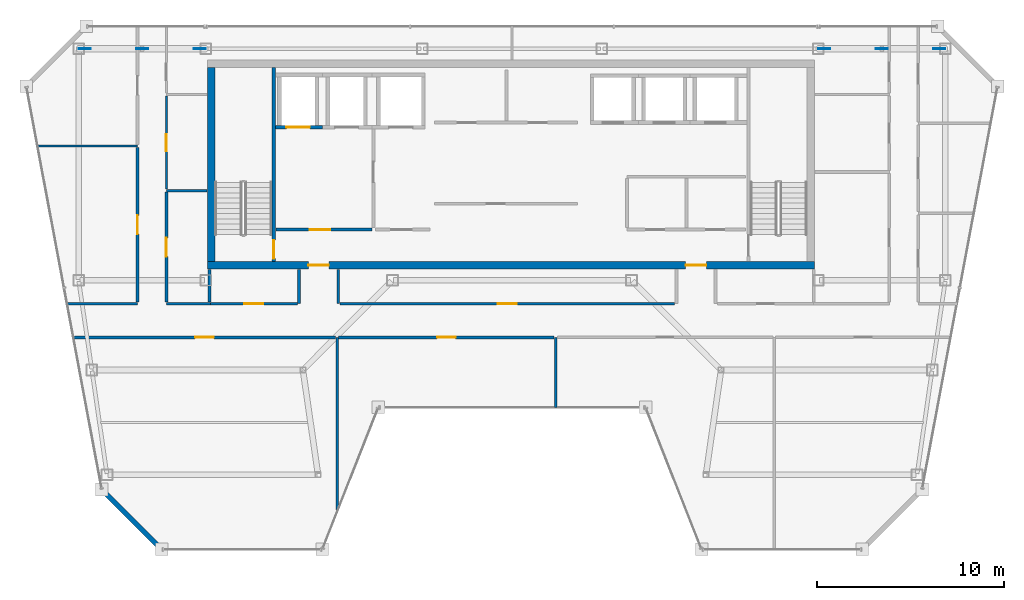
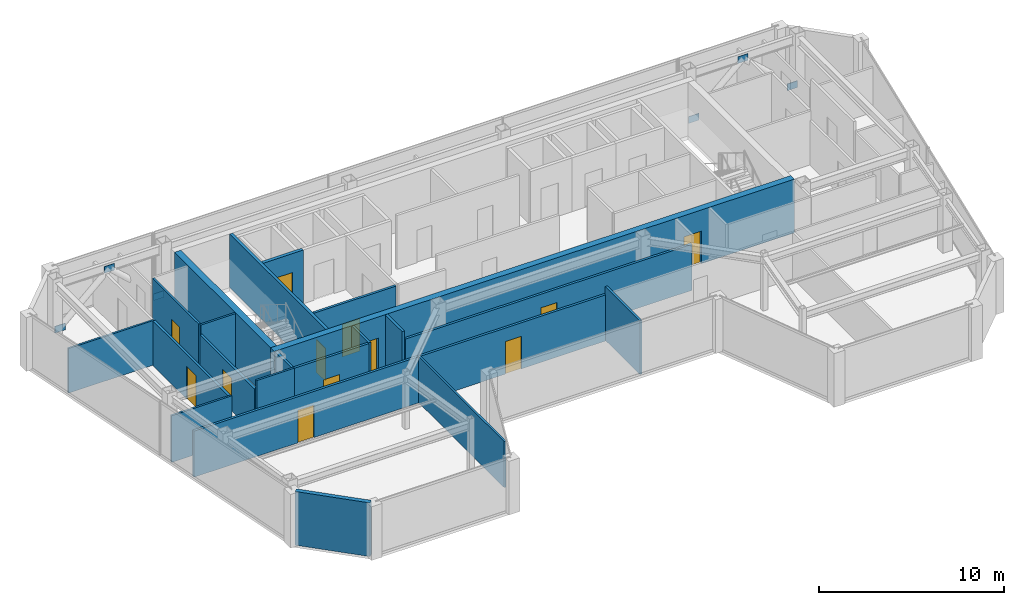
# One storey, part 18 of 22: 22 walls, 12 doors, 6 plates, 12 openings.
"""IFC4 building model written with IfcOpenShell, lengths in metres."""

import ifcopenshell
import ifcopenshell.guid

model = None  # the IFC model being written
_history = None  # IfcOwnerHistory: only IFC2X3 demands one
_inside = {}  # id of a spatial element -> (the spatial element, [elements in it])
_under = {}  # id of a project, library or spatial element -> (it, [spatial elements below it])
_declared = {}  # id of a project -> (the project, [libraries it declares])
_typed = {}  # id of a type object -> (the type object, [elements of that type])
_made_of = {}  # id of a material, layer set ... -> (it, [elements and type objects made of it])


def new_model(schema):
    """Start an empty IFC model of exactly this schema.

    Asked for "IFC4X3", IfcOpenShell would pick the latest addendum, in which some entities
    have other attributes; the version numbers below select the first issue.
    IFC2X3 requires an IfcOwnerHistory on every rooted entity: one is made here for all.
    """
    global model, _history
    if schema == "IFC4X3":
        model = ifcopenshell.file(schema_version=(4, 3, 0, 0))
    else:
        model = ifcopenshell.file(schema=schema)
    _inside.clear()
    _under.clear()
    _declared.clear()
    _typed.clear()
    _made_of.clear()
    _history = None
    if model.schema == "IFC2X3":
        org = make("IfcOrganization", Name="unknown")
        user = make(
            "IfcPersonAndOrganization",
            ThePerson=make("IfcPerson", FamilyName="unknown"),
            TheOrganization=org,
        )
        app = make(
            "IfcApplication",
            ApplicationDeveloper=org,
            Version="unknown",
            ApplicationFullName="unknown",
            ApplicationIdentifier="unknown",
        )
        _history = make(
            "IfcOwnerHistory",
            OwningUser=user,
            OwningApplication=app,
            ChangeAction="ADDED",
            CreationDate=0,
        )
    return model


def make(cls, **values):
    """One entity of the class cls with the attributes given. An attribute that is None is left unset."""
    return model.create_entity(
        cls, **{name: value for name, value in values.items() if value is not None}
    )


def rooted(cls, **values):
    """An entity with a GlobalId (a new one), such as an element, a storey or a relation."""
    return make(cls, GlobalId=ifcopenshell.guid.new(), OwnerHistory=_history, **values)


def si_unit(unit_type, name, prefix=None):
    """IfcSIUnit, for example si_unit("LENGTHUNIT", "METRE", prefix="MILLI")."""
    return make("IfcSIUnit", UnitType=unit_type, Prefix=prefix, Name=name)


def assignment(units):
    """IfcUnitAssignment: the units of a project."""
    return None if units is None else make("IfcUnitAssignment", Units=units)


def point(xyz):
    """IfcCartesianPoint."""
    return None if xyz is None else make("IfcCartesianPoint", Coordinates=xyz)


def direction(xyz):
    """IfcDirection."""
    return None if xyz is None else make("IfcDirection", DirectionRatios=xyz)


def frame(location, z_axis=None, x_axis=None):
    """IfcAxis2Placement3D, a coordinate frame: its origin and axes. An axis left out is left unset."""
    return make(
        "IfcAxis2Placement3D",
        Location=point(location),
        Axis=direction(z_axis),
        RefDirection=direction(x_axis),
    )


def frame_2d(location, x_axis=None):
    """IfcAxis2Placement2D, a coordinate frame in the plane: its origin and x axis."""
    return make(
        "IfcAxis2Placement2D", Location=point(location), RefDirection=direction(x_axis)
    )


def origin():
    """The frame at (0, 0, 0) with its axes left unset."""
    return frame((0.0, 0.0, 0.0))


def origin_2d():
    """The frame at (0, 0) in the plane with its x axis left unset."""
    return frame_2d((0.0, 0.0))


def place(relative_to, where):
    """IfcLocalPlacement: puts the frame where relative to a parent placement (None: the world)."""
    return make(
        "IfcLocalPlacement", PlacementRelTo=relative_to, RelativePlacement=where
    )


def context(
    kind, dimensions, precision=None, world=None, true_north=None, identifier=None
):
    """IfcGeometricRepresentationContext, for example the 3D "Model" context."""
    return make(
        "IfcGeometricRepresentationContext",
        ContextIdentifier=identifier,
        ContextType=kind,
        CoordinateSpaceDimension=dimensions,
        Precision=precision,
        WorldCoordinateSystem=world,
        TrueNorth=true_north,
    )


def subcontext(parent, identifier, kind, view, scale=None):
    """IfcGeometricRepresentationSubContext, for example "Body" below "Model"."""
    return make(
        "IfcGeometricRepresentationSubContext",
        ContextIdentifier=identifier,
        ContextType=kind,
        ParentContext=parent,
        TargetScale=scale,
        TargetView=view,
    )


def project(units=None, contexts=None):
    """IfcProject with its units and contexts."""
    return rooted(
        "IfcProject",
        Name="project",
        RepresentationContexts=contexts,
        UnitsInContext=assignment(units),
    )


def spatial(cls, under=None, at=None, **own):
    """A site, building, storey or space (cls), placed at a placement, below another one or the project."""
    s = rooted(cls, ObjectPlacement=at, **own)
    if under is not None:
        _under.setdefault(under.id(), (under, []))[1].append(s)
    return s


def profile(cls, at=None, kind="AREA", **sizes):
    """A parametric profile (cls). Its sizes go by their IFC names, for example OverallWidth=200.0."""
    return make(cls, ProfileType=kind, Position=at, **sizes)


def rectangle(**sizes):
    """IfcRectangleProfileDef."""
    return profile("IfcRectangleProfileDef", **sizes)


def extrude(swept, where, along, depth):
    """IfcExtrudedAreaSolid: the profile swept, set in the frame where, extruded along a direction by depth."""
    return make(
        "IfcExtrudedAreaSolid",
        SweptArea=swept,
        Position=where,
        ExtrudedDirection=direction(along),
        Depth=depth,
    )


def shape(context_of_items, identifier, shape_type, items):
    """IfcShapeRepresentation: the items that make up one representation, for example the "Body"."""
    return make(
        "IfcShapeRepresentation",
        ContextOfItems=context_of_items,
        RepresentationIdentifier=identifier,
        RepresentationType=shape_type,
        Items=items,
    )


def material(Name=None, Category=None):
    """IfcMaterial."""
    return make("IfcMaterial", Name=Name, Category=Category)


def layer(
    of_material, thickness, ventilated=None, Name=None, Category=None, Priority=None
):
    """IfcMaterialLayer: one layer of a wall or slab, of a material (None: an air gap)."""
    return make(
        "IfcMaterialLayer",
        Material=of_material,
        LayerThickness=thickness,
        IsVentilated=ventilated,
        Name=Name,
        Category=Category,
        Priority=Priority,
    )


def layer_set(layers, Name=None):
    """IfcMaterialLayerSet."""
    return make("IfcMaterialLayerSet", MaterialLayers=layers, LayerSetName=Name)


def made_of(thing, what):
    """Note that an element or type object is made of a material, layer set ...; save() writes the relation."""
    if what is not None:
        _made_of.setdefault(what.id(), (what, []))[1].append(thing)
    return thing


def type_object(cls, material=None, **own):
    """A type object (cls), such as IfcWallType, which elements share."""
    return made_of(rooted(cls, **own), material)


def element(
    cls,
    number,
    at=None,
    inside=None,
    cuts=None,
    type_object=None,
    material=None,
    context=None,
    identifier="Body",
    shape_type=None,
    held_by="IfcProductDefinitionShape",
    body=None,
    shapes=None,
    **own,
):
    """One element of the class cls, such as IfcWall. Its Tag is "e" and its number.

    at: its placement. inside: the storey or other place that contains it. cuts: it is an
    opening in that element (IfcRelVoidsElement). A single representation is given by context,
    identifier, shape_type and body (its items); several are given by shapes. held_by: the class
    of the entity that holds the representations. save() writes the other relations.
    """
    e = rooted(cls, Tag="e%d" % number, ObjectPlacement=at, **own)
    if body is not None:
        shapes = [shape(context, identifier, shape_type, body)]
    if shapes is not None:
        e.Representation = make(held_by, Representations=shapes)
    if inside is not None:
        _inside.setdefault(inside.id(), (inside, []))[1].append(e)
    if cuts is not None:
        rooted(
            "IfcRelVoidsElement", RelatingBuildingElement=cuts, RelatedOpeningElement=e
        )
    if type_object is not None:
        _typed.setdefault(type_object.id(), (type_object, []))[1].append(e)
    return made_of(e, material)


def fill(opening, filler):
    """IfcRelFillsElement: the door or window that sits in an opening."""
    return rooted(
        "IfcRelFillsElement",
        RelatingOpeningElement=opening,
        RelatedBuildingElement=filler,
    )


def aggregate(whole, parts):
    """IfcRelAggregates: a whole, such as a stair, and the parts it consists of."""
    return rooted("IfcRelAggregates", RelatingObject=whole, RelatedObjects=parts)


def save(model, path):
    """Write the relations noted so far, then the file.

    IfcRelAggregates (storeys below a building ...), IfcRelContainedInSpatialStructure (elements
    in a storey), IfcRelDefinesByType, IfcRelAssociatesMaterial and IfcRelDeclares: one each for
    every whole, place, type object, material and project.
    """
    for whole, parts in _under.values():
        aggregate(whole, parts)
    for where, things in _inside.values():
        rooted(
            "IfcRelContainedInSpatialStructure",
            RelatedElements=things,
            RelatingStructure=where,
        )
    for kind, things in _typed.values():
        rooted("IfcRelDefinesByType", RelatedObjects=things, RelatingType=kind)
    for what, things in _made_of.values():
        rooted("IfcRelAssociatesMaterial", RelatedObjects=things, RelatingMaterial=what)
    for by, libraries in _declared.values():
        rooted("IfcRelDeclares", RelatingContext=by, RelatedDefinitions=libraries)
    model.write(path)


model = new_model("IFC4")

# Units and contexts
model_context = context("Model", 3, precision=1e-05, world=origin(), true_north=direction((0.0, 1.0)))
body_context = subcontext(model_context, "Body", "Model", "MODEL_VIEW")
ifc_project = project(units=[si_unit("LENGTHUNIT", "METRE"), si_unit("AREAUNIT", "SQUARE_METRE"), si_unit("VOLUMEUNIT", "CUBIC_METRE"), si_unit("PLANEANGLEUNIT", "RADIAN"), si_unit("MASSUNIT", "GRAM", prefix="KILO")], contexts=[model_context])

# Site, building, storey
site_placement = place(None, origin())
site = spatial("IfcSite", under=ifc_project, at=site_placement, CompositionType="ELEMENT")
building_placement = place(site_placement, origin())
building = spatial("IfcBuilding", under=site, at=building_placement, Name="Saevonmaru Cultural Tower", CompositionType="ELEMENT")
storey_placement = place(building_placement, frame((0.0, 0.0, 287.60009765625)))
storey = spatial("IfcBuildingStorey", under=building, at=storey_placement, Name="L68", CompositionType="ELEMENT", Elevation=287.60009765625)

# Plates
ifc_material_1 = material(Name="Steel HSA600 (600 MPa)", Category="steel")
ifc_layer_1 = layer(ifc_material_1, 0.0400390625, Name="Steel HSA600 (600 MPa)")
ifc_layer_set_1 = layer_set([ifc_layer_1], Name="Steel HSA600 (600 MPa)")
plate_type = type_object("IfcPlateType", Name="PL-GUSSET-EXT", PredefinedType="USERDEFINED", material=ifc_layer_set_1)
for number, where, z_axis, x_axis, name in (
    (1, (10.199951171875, 54.800048828125, 2.89990234375), (0.0, 0.0, 1.0), (1.0, 0.0, 0.0), "L68 Perimeter Tube Gusset Plate"),
    (2, (7.1201171875, 54.800048828125, 0.02001953125), (0.0, 0.0, 1.0), (1.0, 0.0, 0.0), "L68 Perimeter Tube Gusset Plate"),
    (3, (13.280029296875, 54.800048828125, 0.02001953125), (0.0, 0.0, 1.0), (1.0, 0.0, 0.0), "L68 Perimeter Tube Gusset Plate"),
    (4, (49.800048828125, 54.800048828125, 2.89990234375), (0.0, 0.0, 1.0), (1.0, 0.0, 0.0), "L68 Perimeter Tube Gusset Plate"),
    (5, (46.719970703125, 54.800048828125, 0.02001953125), (0.0, 0.0, 1.0), (1.0, 0.0, 0.0), "L68 Perimeter Tube Gusset Plate"),
    (6, (52.8798828125, 54.800048828125, 0.02001953125), (0.0, 0.0, 1.0), (1.0, 0.0, 0.0), "L68 Perimeter Tube Gusset Plate"),
):
    element("IfcPlate", number, at=place(storey_placement, frame(where, z_axis=z_axis, x_axis=x_axis)), inside=storey, type_object=plate_type, Name=name, ObjectType="GUSSET_PLATE", PredefinedType="USERDEFINED", context=body_context, shape_type="SweptSolid", body=[
        extrude(rectangle(XDim=0.639892578125, YDim=0.0400390625, at=origin_2d()), origin(), (0.0, 0.0, 1.0), 0.43994140625),
    ])

# Wall, openings, doors
ifc_material_2 = material(Name="Concrete C50/60", Category="concrete")
ifc_layer_2 = layer(ifc_material_2, 0.39990234375, Name="Concrete C50/60")
ifc_layer_set_2 = layer_set([ifc_layer_2], Name="Concrete C50/60")
wall_type_1 = type_object("IfcWallType", Name="WL-CORE-400", PredefinedType="SHEAR", material=ifc_layer_set_2)
wall_1_placement = place(storey_placement, frame((13.699951171875, 43.199951171875, 0.0), z_axis=(0.0, 0.0, 1.0), x_axis=(1.0, 0.0, 0.0)))
wall_1 = element("IfcWall", 7, at=wall_1_placement, inside=storey, type_object=wall_type_1, Name="L68 Tower RC core shear wall S", PredefinedType="SHEAR", context=body_context, shape_type="SweptSolid", body=[
    extrude(rectangle(XDim=32.5, YDim=0.39990234375, at=frame_2d((16.25, 0.0))), origin(), (0.0, 0.0, 1.0), 3.5498046875),
])
opening_1_placement = place(wall_1_placement, frame((5.39990234375, 0.0, 0.0)))
opening_1 = element("IfcOpeningElement", 8, at=opening_1_placement, cuts=wall_1, Name="Opening FD-2", PredefinedType="OPENING", context=body_context, shape_type="SweptSolid", body=[
    extrude(rectangle(XDim=1.10009765625, YDim=2.14990234375, at=frame_2d((0.550048828125, 1.074951171875))), frame((0.0, 0.2099609375, 0.0), z_axis=(0.0, -1.0, 0.0), x_axis=(1.0, 0.0, 0.0)), (0.0, 0.0, 1.0), 0.419921875),
])
opening_2_placement = place(wall_1_placement, frame((25.60009765625, 0.0, 0.0)))
opening_2 = element("IfcOpeningElement", 9, at=opening_2_placement, cuts=wall_1, Name="Opening FD-2", PredefinedType="OPENING", context=body_context, shape_type="SweptSolid", body=[
    extrude(rectangle(XDim=1.10009765625, YDim=2.14990234375, at=frame_2d((0.550048828125, 1.074951171875))), frame((0.0, 0.2099609375, 0.0), z_axis=(0.0, -1.0, 0.0), x_axis=(1.0, 0.0, 0.0)), (0.0, 0.0, 1.0), 0.419921875),
])
ifc_material_3 = material(Name="Satin Bronze Anodised Aluminium", Category="aluminium")
door_type_1 = type_object("IfcDoorType", Name="DR-FD60-1100", OperationType="SINGLE_SWING_LEFT", PredefinedType="DOOR", material=ifc_material_3)
door_1_placement = place(opening_1_placement, origin())
door_1 = element("IfcDoor", 10, at=door_1_placement, inside=storey, type_object=door_type_1, Name="L68 Core West Lobby Fire Door", OperationType="SINGLE_SWING_LEFT", OverallHeight=2.14990234375, OverallWidth=1.10009765625, PredefinedType="DOOR", context=body_context, shape_type="SweptSolid", body=[
    extrude(rectangle(XDim=1.10009765625, YDim=2.14990234375, at=frame_2d((0.550048828125, 1.074951171875))), frame((0.0, 0.02490234375, 0.0), z_axis=(0.0, -1.0, 0.0), x_axis=(1.0, 0.0, 0.0)), (0.0, 0.0, 1.0), 0.050048828125),
])
fill(opening_1, door_1)
door_2_placement = place(opening_2_placement, origin())
door_2 = element("IfcDoor", 11, at=door_2_placement, inside=storey, type_object=door_type_1, Name="L68 Core East Lobby Fire Door", OperationType="SINGLE_SWING_LEFT", OverallHeight=2.14990234375, OverallWidth=1.10009765625, PredefinedType="DOOR", context=body_context, shape_type="SweptSolid", body=[
    extrude(rectangle(XDim=1.10009765625, YDim=2.14990234375, at=frame_2d((0.550048828125, 1.074951171875))), frame((0.0, 0.02490234375, 0.0), z_axis=(0.0, -1.0, 0.0), x_axis=(1.0, 0.0, 0.0)), (0.0, 0.0, 1.0), 0.050048828125),
])
fill(opening_2, door_2)

# Wall
wall_2_placement = place(storey_placement, frame((13.89990234375, 43.39990234375, 0.0), z_axis=(0.0, 0.0, 1.0), x_axis=(0.0, 1.0, 0.0)))
element("IfcWall", 12, at=wall_2_placement, inside=storey, type_object=wall_type_1, Name="L68 Tower RC core shear wall W", PredefinedType="SHEAR", context=body_context, shape_type="SweptSolid", body=[
    extrude(rectangle(XDim=10.400146484375, YDim=0.39990234375, at=frame_2d((5.2001953125, 0.0))), origin(), (0.0, 0.0, 1.0), 3.5498046875),
])

# Wall, opening, door
ifc_material_4 = material(Name="Gypsum Fireboard Partition", Category="gypsum")
ifc_layer_3 = layer(ifc_material_4, 0.14990234375, Name="Gypsum Fireboard Partition")
ifc_layer_set_3 = layer_set([ifc_layer_3], Name="Gypsum Fireboard Partition")
wall_type_2 = type_object("IfcWallType", Name="WL-CORE-PART-150", PredefinedType="PARTITIONING", material=ifc_layer_set_3)
wall_3_placement = place(storey_placement, frame((17.360107421875, 45.1201171875, 0.0), z_axis=(0.0, 0.0, 1.0), x_axis=(1.0, 0.0, 0.0)))
wall_3 = element("IfcWall", 13, at=wall_3_placement, inside=storey, type_object=wall_type_2, Name="L68 Firefighting Lift Lobby South Wall", PredefinedType="PARTITIONING", context=body_context, shape_type="SweptSolid", body=[
    extrude(rectangle(XDim=5.139892578125, YDim=0.14990234375, at=frame_2d((2.56982421875, 0.0))), origin(), (0.0, 0.0, 1.0), 3.5498046875),
])
opening_3_placement = place(wall_3_placement, frame((1.800048828125, 0.0, 0.0)))
opening_3 = element("IfcOpeningElement", 14, at=opening_3_placement, cuts=wall_3, Name="Opening FD-2", PredefinedType="OPENING", context=body_context, shape_type="SweptSolid", body=[
    extrude(rectangle(XDim=1.10009765625, YDim=2.14990234375, at=frame_2d((0.550048828125, 1.074951171875))), frame((0.0, 0.0849609375, 0.0), z_axis=(0.0, -1.0, 0.0), x_axis=(1.0, 0.0, 0.0)), (0.0, 0.0, 1.0), 0.169921875),
])
door_3_placement = place(opening_3_placement, origin())
door_3 = element("IfcDoor", 15, at=door_3_placement, inside=storey, type_object=door_type_1, Name="L68 Firefighting Lift Lobby South Door", OperationType="SINGLE_SWING_LEFT", OverallHeight=2.14990234375, OverallWidth=1.10009765625, PredefinedType="DOOR", context=body_context, shape_type="SweptSolid", body=[
    extrude(rectangle(XDim=1.10009765625, YDim=2.14990234375, at=frame_2d((0.550048828125, 1.074951171875))), frame((0.0, 0.02490234375, 0.0), z_axis=(0.0, -1.0, 0.0), x_axis=(1.0, 0.0, 0.0)), (0.0, 0.0, 1.0), 0.050048828125),
])
fill(opening_3, door_3)

# Wall
ifc_material_5 = material(Name="Granite-Clad Precast Concrete C40/50", Category="masonry")
ifc_layer_4 = layer(ifc_material_5, 0.260009765625, Name="Granite-Clad Precast Concrete C40/50")
ifc_layer_set_4 = layer_set([ifc_layer_4], Name="Granite-Clad Precast Concrete C40/50")
wall_type_3 = type_object("IfcWallType", Name="WL-EXT-SPANDREL-260", PredefinedType="STANDARD", material=ifc_layer_set_4)
wall_4_placement = place(storey_placement, frame((8.157470703125, 31.0869140625, 0.0), z_axis=(0.0, 0.0, 1.0), x_axis=(0.707106781187, -0.707106781187, 0.0)))
element("IfcWall", 16, at=wall_4_placement, inside=storey, type_object=wall_type_3, Name="L68 Chamfer Corner Spandrel Wall E1", PredefinedType="STANDARD", context=body_context, shape_type="SweptSolid", body=[
    extrude(rectangle(XDim=4.205810546875, YDim=0.260009765625, at=frame_2d((2.10302734375, 0.0))), origin(), (0.0, 0.0, 1.0), 3.5498046875),
])

# Wall, opening, door
ifc_layer_5 = layer(ifc_material_4, 0.14990234375, Name="Gypsum Fireboard Partition")
ifc_layer_set_5 = layer_set([ifc_layer_5], Name="Gypsum Fireboard Partition")
wall_type_4 = type_object("IfcWallType", Name="WL-PART-FIRE-150", PredefinedType="PARTITIONING", material=ifc_layer_set_5)
wall_5_placement = place(storey_placement, frame((9.949951171875, 41.22998046875, 0.0), z_axis=(0.0, 0.0, 1.0), x_axis=(0.0, 1.0, 0.0)))
wall_5 = element("IfcWall", 17, at=wall_5_placement, inside=storey, type_object=wall_type_4, Name="L68 Acoustic Chamber Auditorium Corridor Wall", PredefinedType="PARTITIONING", context=body_context, shape_type="SweptSolid", body=[
    extrude(rectangle(XDim=8.2900390625, YDim=0.14990234375, at=frame_2d((4.14501953125, 0.0))), origin(), (0.0, 0.0, 1.0), 2.947021484375),
])
opening_4_placement = place(wall_5_placement, frame((3.64501953125, 0.0, 0.0)))
opening_4 = element("IfcOpeningElement", 18, at=opening_4_placement, cuts=wall_5, Name="Opening ID-1B", PredefinedType="OPENING", context=body_context, shape_type="SweptSolid", body=[
    extrude(rectangle(XDim=1.0, YDim=2.14990234375, at=frame_2d((0.5, 1.074951171875))), frame((0.0, 0.0849609375, 0.0), z_axis=(0.0, -1.0, 0.0), x_axis=(1.0, 0.0, 0.0)), (0.0, 0.0, 1.0), 0.169921875),
])
ifc_material_6 = material(Name="Acoustic Stained Oak Timber", Category="wood")
door_type_2 = type_object("IfcDoorType", Name="DR-INT-1000", OperationType="SINGLE_SWING_RIGHT", PredefinedType="DOOR", material=ifc_material_6)
door_4_placement = place(opening_4_placement, origin())
door_4 = element("IfcDoor", 19, at=door_4_placement, inside=storey, type_object=door_type_2, Name="L68 Acoustic Chamber Auditorium Door", OperationType="SINGLE_SWING_RIGHT", OverallHeight=2.14990234375, OverallWidth=1.0, PredefinedType="DOOR", context=body_context, shape_type="SweptSolid", body=[
    extrude(rectangle(XDim=1.0, YDim=2.14990234375, at=frame_2d((0.5, 1.074951171875))), frame((0.0, 0.02490234375, 0.0), z_axis=(0.0, -1.0, 0.0), x_axis=(1.0, 0.0, 0.0)), (0.0, 0.0, 1.0), 0.050048828125),
])
fill(opening_4, door_4)

wall_6_placement = place(storey_placement, frame((11.5, 41.22998046875, 0.0), z_axis=(0.0, 0.0, 1.0), x_axis=(0.0, 1.0, 0.0)))
wall_6 = element("IfcWall", 20, at=wall_6_placement, inside=storey, type_object=wall_type_4, Name="L68 Sound Art Screening Auditorium Corridor Wall", PredefinedType="PARTITIONING", context=body_context, shape_type="SweptSolid", body=[
    extrude(rectangle(XDim=5.89013671875, YDim=0.14990234375, at=frame_2d((2.945068359375, 0.0))), origin(), (0.0, 0.0, 1.0), 2.947021484375),
])
opening_5_placement = place(wall_6_placement, frame((2.445068359375, 0.0, 0.0)))
opening_5 = element("IfcOpeningElement", 21, at=opening_5_placement, cuts=wall_6, Name="Opening ID-1B", PredefinedType="OPENING", context=body_context, shape_type="SweptSolid", body=[
    extrude(rectangle(XDim=1.0, YDim=2.14990234375, at=frame_2d((0.5, 1.074951171875))), frame((0.0, 0.0849609375, 0.0), z_axis=(0.0, -1.0, 0.0), x_axis=(1.0, 0.0, 0.0)), (0.0, 0.0, 1.0), 0.169921875),
])
door_5_placement = place(opening_5_placement, origin())
door_5 = element("IfcDoor", 22, at=door_5_placement, inside=storey, type_object=door_type_2, Name="L68 Sound Art Screening Auditorium Door", OperationType="SINGLE_SWING_RIGHT", OverallHeight=2.14990234375, OverallWidth=1.0, PredefinedType="DOOR", context=body_context, shape_type="SweptSolid", body=[
    extrude(rectangle(XDim=1.0, YDim=2.14990234375, at=frame_2d((0.5, 1.074951171875))), frame((0.0, 0.02490234375, 0.0), z_axis=(0.0, -1.0, 0.0), x_axis=(1.0, 0.0, 0.0)), (0.0, 0.0, 1.0), 0.050048828125),
])
fill(opening_5, door_5)

# Walls
wall_7_placement = place(storey_placement, frame((13.800048828125, 41.22998046875, 0.0), z_axis=(0.0, 0.0, 1.0), x_axis=(0.0, 1.0, 0.0)))
element("IfcWall", 23, at=wall_7_placement, inside=storey, type_object=wall_type_4, Name="L68 Core Portal Side Wall W0", PredefinedType="PARTITIONING", context=body_context, shape_type="SweptSolid", body=[
    extrude(rectangle(XDim=1.75, YDim=0.14990234375, at=frame_2d((0.875, 0.0))), origin(), (0.0, 0.0, 1.0), 3.5498046875),
])
for number, where, z_axis, x_axis, name in (
    (24, (18.60009765625, 41.14990234375, 0.0), (0.0, 0.0, 1.0), (0.0, 1.0, 0.0), "L68 Core Portal Side Wall W1"),
    (25, (20.699951171875, 41.14990234375, 0.0), (0.0, 0.0, 1.0), (0.0, 1.0, 0.0), "L68 Core Portal Side Wall W2"),
):
    element("IfcWall", number, at=place(storey_placement, frame(where, z_axis=z_axis, x_axis=x_axis)), inside=storey, type_object=wall_type_4, Name=name, PredefinedType="PARTITIONING", context=body_context, shape_type="SweptSolid", body=[
        extrude(rectangle(XDim=1.830078125, YDim=0.14990234375, at=frame_2d((0.9150390625, 0.0))), origin(), (0.0, 0.0, 1.0), 3.5498046875),
    ])

# Wall, opening, door
wall_8_placement = place(storey_placement, frame((13.85009765625, 41.14990234375, 0.0), z_axis=(0.0, 0.0, 1.0), x_axis=(1.0, 0.0, 0.0)))
wall_8 = element("IfcWall", 26, at=wall_8_placement, inside=storey, type_object=wall_type_4, Name="L68 Acoustic Chamber Auditorium Corridor Wall", PredefinedType="PARTITIONING", context=body_context, shape_type="SweptSolid", body=[
    extrude(rectangle(XDim=4.65478515625, YDim=0.14990234375, at=frame_2d((2.327392578125, 0.0))), origin(), (0.0, 0.0, 1.0), 3.5498046875),
])
opening_6_placement = place(wall_8_placement, frame((1.826904296875, 0.0, 0.0)))
opening_6 = element("IfcOpeningElement", 27, at=opening_6_placement, cuts=wall_8, Name="Opening ID-1B", PredefinedType="OPENING", context=body_context, shape_type="SweptSolid", body=[
    extrude(rectangle(XDim=1.0, YDim=2.14990234375, at=frame_2d((0.5, 1.074951171875))), frame((0.0, 0.0849609375, 0.0), z_axis=(0.0, -1.0, 0.0), x_axis=(1.0, 0.0, 0.0)), (0.0, 0.0, 1.0), 0.169921875),
])
door_6_placement = place(opening_6_placement, origin())
door_6 = element("IfcDoor", 28, at=door_6_placement, inside=storey, type_object=door_type_2, Name="L68 Acoustic Chamber Auditorium Door", OperationType="SINGLE_SWING_LEFT", OverallHeight=2.14990234375, OverallWidth=1.0, PredefinedType="DOOR", context=body_context, shape_type="SweptSolid", body=[
    extrude(rectangle(XDim=1.0, YDim=2.14990234375, at=frame_2d((0.5, 1.074951171875))), frame((0.0, 0.02490234375, 0.0), z_axis=(0.0, -1.0, 0.0), x_axis=(1.0, 0.0, 0.0)), (0.0, 0.0, 1.0), 0.050048828125),
])
fill(opening_6, door_6)

wall_9_placement = place(storey_placement, frame((20.794921875, 41.14990234375, 0.0), z_axis=(0.0, 0.0, 1.0), x_axis=(1.0, 0.0, 0.0)))
wall_9 = element("IfcWall", 29, at=wall_9_placement, inside=storey, type_object=wall_type_4, Name="L68 Sound Art Screening Auditorium Corridor Wall", PredefinedType="PARTITIONING", context=body_context, shape_type="SweptSolid", body=[
    extrude(rectangle(XDim=17.91015625, YDim=0.14990234375, at=frame_2d((8.955078125, 0.0))), origin(), (0.0, 0.0, 1.0), 3.046875),
])
opening_7_placement = place(wall_9_placement, frame((8.455078125, 0.0, 0.0)))
opening_7 = element("IfcOpeningElement", 30, at=opening_7_placement, cuts=wall_9, Name="Opening ID-1B", PredefinedType="OPENING", context=body_context, shape_type="SweptSolid", body=[
    extrude(rectangle(XDim=1.0, YDim=2.14990234375, at=frame_2d((0.5, 1.074951171875))), frame((0.0, 0.0849609375, 0.0), z_axis=(0.0, -1.0, 0.0), x_axis=(1.0, 0.0, 0.0)), (0.0, 0.0, 1.0), 0.169921875),
])
door_7_placement = place(opening_7_placement, origin())
door_7 = element("IfcDoor", 31, at=door_7_placement, inside=storey, type_object=door_type_2, Name="L68 Sound Art Screening Auditorium Door", OperationType="SINGLE_SWING_RIGHT", OverallHeight=2.14990234375, OverallWidth=1.0, PredefinedType="DOOR", context=body_context, shape_type="SweptSolid", body=[
    extrude(rectangle(XDim=1.0, YDim=2.14990234375, at=frame_2d((0.5, 1.074951171875))), frame((0.0, 0.02490234375, 0.0), z_axis=(0.0, -1.0, 0.0), x_axis=(1.0, 0.0, 0.0)), (0.0, 0.0, 1.0), 0.050048828125),
])
fill(opening_7, door_7)

wall_10_placement = place(storey_placement, frame((6.5234375, 39.35009765625, 0.0), z_axis=(0.0, 0.0, 1.0), x_axis=(1.0, 0.0, 0.0)))
wall_10 = element("IfcWall", 32, at=wall_10_placement, inside=storey, type_object=wall_type_4, Name="L68 Acoustic Chamber Auditorium Corridor Wall", PredefinedType="PARTITIONING", context=body_context, shape_type="SweptSolid", body=[
    extrude(rectangle(XDim=14.03662109375, YDim=0.14990234375, at=frame_2d((7.018310546875, 0.0))), origin(), (0.0, 0.0, 1.0), 3.046875),
])
opening_8_placement = place(wall_10_placement, frame((6.51806640625, 0.0, 0.0)))
opening_8 = element("IfcOpeningElement", 33, at=opening_8_placement, cuts=wall_10, Name="Opening ID-1B", PredefinedType="OPENING", context=body_context, shape_type="SweptSolid", body=[
    extrude(rectangle(XDim=1.0, YDim=2.14990234375, at=frame_2d((0.5, 1.074951171875))), frame((0.0, 0.0849609375, 0.0), z_axis=(0.0, -1.0, 0.0), x_axis=(1.0, 0.0, 0.0)), (0.0, 0.0, 1.0), 0.169921875),
])
door_8_placement = place(opening_8_placement, origin())
door_8 = element("IfcDoor", 34, at=door_8_placement, inside=storey, type_object=door_type_2, Name="L68 Acoustic Chamber Auditorium Door", OperationType="SINGLE_SWING_RIGHT", OverallHeight=2.14990234375, OverallWidth=1.0, PredefinedType="DOOR", context=body_context, shape_type="SweptSolid", body=[
    extrude(rectangle(XDim=1.0, YDim=2.14990234375, at=frame_2d((0.5, 1.074951171875))), frame((0.0, 0.02490234375, 0.0), z_axis=(0.0, -1.0, 0.0), x_axis=(1.0, 0.0, 0.0)), (0.0, 0.0, 1.0), 0.050048828125),
])
fill(opening_8, door_8)

wall_11_placement = place(storey_placement, frame((20.719970703125, 39.35009765625, 0.0), z_axis=(0.0, 0.0, 1.0), x_axis=(1.0, 0.0, 0.0)))
wall_11 = element("IfcWall", 35, at=wall_11_placement, inside=storey, type_object=wall_type_4, Name="L68 Sound Art Screening Auditorium Corridor Wall", PredefinedType="PARTITIONING", context=body_context, shape_type="SweptSolid", body=[
    extrude(rectangle(XDim=11.532470703125, YDim=0.14990234375, at=frame_2d((5.76611328125, 0.0))), origin(), (0.0, 0.0, 1.0), 3.046875),
])
opening_9_placement = place(wall_11_placement, frame((5.26611328125, 0.0, 0.0)))
opening_9 = element("IfcOpeningElement", 36, at=opening_9_placement, cuts=wall_11, Name="Opening ID-1B", PredefinedType="OPENING", context=body_context, shape_type="SweptSolid", body=[
    extrude(rectangle(XDim=1.0, YDim=2.14990234375, at=frame_2d((0.5, 1.074951171875))), frame((0.0, 0.0849609375, 0.0), z_axis=(0.0, -1.0, 0.0), x_axis=(1.0, 0.0, 0.0)), (0.0, 0.0, 1.0), 0.169921875),
])
door_9_placement = place(opening_9_placement, origin())
door_9 = element("IfcDoor", 37, at=door_9_placement, inside=storey, type_object=door_type_2, Name="L68 Sound Art Screening Auditorium Door", OperationType="SINGLE_SWING_LEFT", OverallHeight=2.14990234375, OverallWidth=1.0, PredefinedType="DOOR", context=body_context, shape_type="SweptSolid", body=[
    extrude(rectangle(XDim=1.0, YDim=2.14990234375, at=frame_2d((0.5, 1.074951171875))), frame((0.0, 0.02490234375, 0.0), z_axis=(0.0, -1.0, 0.0), x_axis=(1.0, 0.0, 0.0)), (0.0, 0.0, 1.0), 0.050048828125),
])
fill(opening_9, door_9)

# Walls
ifc_layer_6 = layer(ifc_material_4, 0.1201171875, Name="Gypsum Fireboard Partition")
ifc_layer_set_6 = layer_set([ifc_layer_6], Name="Gypsum Fireboard Partition")
wall_type_5 = type_object("IfcWallType", Name="WL-PART-GYP-120", PredefinedType="PARTITIONING", material=ifc_layer_set_6)
wall_12_placement = place(storey_placement, frame((6.186279296875, 41.14990234375, 0.0), z_axis=(0.0, 0.0, 1.0), x_axis=(1.0, 0.0, 0.0)))
element("IfcWall", 38, at=wall_12_placement, inside=storey, type_object=wall_type_5, Name="L68 NW Wing South Wall", PredefinedType="PARTITIONING", context=body_context, shape_type="SweptSolid", body=[
    extrude(rectangle(XDim=3.763671875, YDim=0.1201171875, at=frame_2d((1.8818359375, 0.0))), origin(), (0.0, 0.0, 1.0), 3.0849609375),
])
wall_13_placement = place(storey_placement, frame((11.5, 41.14990234375, 0.0), z_axis=(0.0, 0.0, 1.0), x_axis=(1.0, 0.0, 0.0)))
element("IfcWall", 39, at=wall_13_placement, inside=storey, type_object=wall_type_5, Name="L68 NW Inner South Wall", PredefinedType="PARTITIONING", context=body_context, shape_type="SweptSolid", body=[
    extrude(rectangle(XDim=2.35009765625, YDim=0.1201171875, at=frame_2d((1.175048828125, 0.0))), origin(), (0.0, 0.0, 1.0), 3.5498046875),
])
wall_14_placement = place(storey_placement, frame((4.604248046875, 49.60009765625, 0.0), z_axis=(0.0, 0.0, 1.0), x_axis=(1.0, 0.0, 0.0)))
element("IfcWall", 40, at=wall_14_placement, inside=storey, type_object=wall_type_5, Name="L68 NW Studio Divider 1", PredefinedType="PARTITIONING", context=body_context, shape_type="SweptSolid", body=[
    extrude(rectangle(XDim=5.345703125, YDim=0.1201171875, at=frame_2d((2.6728515625, 0.0))), origin(), (0.0, 0.0, 1.0), 2.947021484375),
])
wall_15_placement = place(storey_placement, frame((11.5, 47.199951171875, 0.0), z_axis=(0.0, 0.0, 1.0), x_axis=(1.0, 0.0, 0.0)))
element("IfcWall", 41, at=wall_15_placement, inside=storey, type_object=wall_type_5, Name="L68 NW Inner Divider", PredefinedType="PARTITIONING", context=body_context, shape_type="SweptSolid", body=[
    extrude(rectangle(XDim=2.179931640625, YDim=0.1201171875, at=frame_2d((1.08984375, 0.0))), origin(), (0.0, 0.0, 1.0), 3.5498046875),
])

# Wall, opening, door
wall_16_placement = place(storey_placement, frame((11.5, 47.280029296875, 0.0), z_axis=(0.0, 0.0, 1.0), x_axis=(0.0, 1.0, 0.0)))
wall_16 = element("IfcWall", 42, at=wall_16_placement, inside=storey, type_object=wall_type_5, Name="L68 Civic Policy Meeting Room Corridor Wall", PredefinedType="PARTITIONING", context=body_context, shape_type="SweptSolid", body=[
    extrude(rectangle(XDim=4.989990234375, YDim=0.1201171875, at=frame_2d((2.4951171875, 0.0))), origin(), (0.0, 0.0, 1.0), 3.5498046875),
])
opening_10_placement = place(wall_16_placement, frame((2.044921875, 0.0, 0.0)))
opening_10 = element("IfcOpeningElement", 43, at=opening_10_placement, cuts=wall_16, Name="Opening ID-2", PredefinedType="OPENING", context=body_context, shape_type="SweptSolid", body=[
    extrude(rectangle(XDim=0.89990234375, YDim=2.10009765625, at=frame_2d((0.449951171875, 1.050048828125))), frame((0.0, 0.070068359375, 0.0), z_axis=(0.0, -1.0, 0.0), x_axis=(1.0, 0.0, 0.0)), (0.0, 0.0, 1.0), 0.14013671875),
])
door_type_3 = type_object("IfcDoorType", Name="DR-INT-900", OperationType="SINGLE_SWING_RIGHT", PredefinedType="DOOR", material=ifc_material_6)
door_10_placement = place(opening_10_placement, origin())
door_10 = element("IfcDoor", 44, at=door_10_placement, inside=storey, type_object=door_type_3, Name="L68 Civic Policy Meeting Room Door", OperationType="SINGLE_SWING_LEFT", OverallHeight=2.10009765625, OverallWidth=0.89990234375, PredefinedType="DOOR", context=body_context, shape_type="SweptSolid", body=[
    extrude(rectangle(XDim=0.89990234375, YDim=2.10009765625, at=frame_2d((0.449951171875, 1.050048828125))), frame((0.0, 0.02490234375, 0.0), z_axis=(0.0, -1.0, 0.0), x_axis=(1.0, 0.0, 0.0)), (0.0, 0.0, 1.0), 0.050048828125),
])
fill(opening_10, door_10)

# Walls
wall_17_placement = place(storey_placement, frame((20.639892578125, 30.029052734375, 0.0), z_axis=(0.0, 0.0, 1.0), x_axis=(0.0, 1.0, 0.0)))
element("IfcWall", 45, at=wall_17_placement, inside=storey, type_object=wall_type_5, Name="L68 Observatory Bay Divider 1", PredefinedType="PARTITIONING", context=body_context, shape_type="SweptSolid", body=[
    extrude(rectangle(XDim=9.321044921875, YDim=0.1201171875, at=frame_2d((4.66064453125, 0.0))), origin(), (0.0, 0.0, 1.0), 3.046875),
])
ifc_layer_7 = layer(ifc_material_4, 0.135009765625, Name="Gypsum Fireboard Partition")
ifc_layer_set_7 = layer_set([ifc_layer_7], Name="Gypsum Fireboard Partition")
wall_type_6 = type_object("IfcWallType", Name="WL-PART-GYP-135", PredefinedType="PARTITIONING", material=ifc_layer_set_7)
wall_18_placement = place(storey_placement, frame((32.340087890625, 35.60498046875, 0.0), z_axis=(0.0, 0.0, 1.0), x_axis=(0.0, 1.0, 0.0)))
element("IfcWall", 46, at=wall_18_placement, inside=storey, type_object=wall_type_6, Name="L68 Observatory Bay Divider 2", PredefinedType="PARTITIONING", context=body_context, shape_type="SweptSolid", body=[
    extrude(rectangle(XDim=3.7451171875, YDim=0.135009765625, at=frame_2d((1.87255859375, 0.0))), origin(), (0.0, 0.0, 1.0), 3.5498046875),
])

# Wall, opening, door
ifc_material_7 = material(Name="Concrete C40/50", Category="concrete")
ifc_layer_8 = layer(ifc_material_7, 0.199951171875, Name="Concrete C40/50")
ifc_layer_set_8 = layer_set([ifc_layer_8], Name="Concrete C40/50")
wall_type_7 = type_object("IfcWallType", Name="WL-SHAFT-200", PredefinedType="SHEAR", material=ifc_layer_set_8)
wall_19_placement = place(storey_placement, frame((17.330078125, 50.60009765625, 0.0), z_axis=(0.0, 0.0, 1.0), x_axis=(1.0, 0.0, 0.0)))
wall_19 = element("IfcWall", 47, at=wall_19_placement, inside=storey, type_object=wall_type_7, Name="L68 Lift FFL-1 Hoistway Wall S", PredefinedType="SHEAR", context=body_context, shape_type="SweptSolid", body=[
    extrude(rectangle(XDim=2.52001953125, YDim=0.199951171875, at=frame_2d((1.260009765625, 0.0))), origin(), (0.0, 0.0, 1.0), 3.5498046875),
])
opening_11_placement = place(wall_19_placement, frame((0.594970703125, 0.0, 0.0)))
opening_11 = element("IfcOpeningElement", 48, at=opening_11_placement, cuts=wall_19, Name="Opening LD-2", PredefinedType="OPENING", context=body_context, shape_type="SweptSolid", body=[
    extrude(rectangle(XDim=1.25, YDim=2.300048828125, at=frame_2d((0.625, 1.14990234375))), frame((0.0, 0.10986328125, 0.0), z_axis=(0.0, -1.0, 0.0), x_axis=(1.0, 0.0, 0.0)), (0.0, 0.0, 1.0), 0.219970703125),
])
ifc_material_8 = material(Name="Stainless Steel 316", Category="steel")
door_type_4 = type_object("IfcDoorType", Name="DR-LIFT-1250", OperationType="SLIDING_TO_LEFT", PredefinedType="DOOR", material=ifc_material_8)
door_11_placement = place(opening_11_placement, origin())
door_11 = element("IfcDoor", 49, at=door_11_placement, inside=storey, type_object=door_type_4, Name="L68 Lift FFL-1 Sliding Landing Door", OperationType="SLIDING_TO_LEFT", OverallHeight=2.300048828125, OverallWidth=1.25, PredefinedType="DOOR", context=body_context, shape_type="SweptSolid", body=[
    extrude(rectangle(XDim=1.25, YDim=2.300048828125, at=frame_2d((0.625, 1.14990234375))), frame((0.0, 0.02490234375, 0.0), z_axis=(0.0, -1.0, 0.0), x_axis=(1.0, 0.0, 0.0)), (0.0, 0.0, 1.0), 0.050048828125),
])
fill(opening_11, door_11)

ifc_layer_9 = layer(ifc_material_7, 0.179931640625, Name="Concrete C40/50")
ifc_layer_set_9 = layer_set([ifc_layer_9], Name="Concrete C40/50")
wall_type_8 = type_object("IfcWallType", Name="WL-STSHAFT-180", PredefinedType="SHEAR", material=ifc_layer_set_9)
wall_20_placement = place(storey_placement, frame((17.239990234375, 43.39990234375, 0.0), z_axis=(0.0, 0.0, 1.0), x_axis=(0.0, 1.0, 0.0)))
wall_20 = element("IfcWall", 50, at=wall_20_placement, inside=storey, type_object=wall_type_8, Name="L68 Stair ST-1 Structural Shaft Wall 1", PredefinedType="SHEAR", context=body_context, shape_type="SweptSolid", body=[
    extrude(rectangle(XDim=10.400146484375, YDim=0.179931640625, at=frame_2d((5.2001953125, 0.0))), origin(), (0.0, 0.0, 1.0), 3.5498046875),
])
opening_12_placement = place(wall_20_placement, frame((0.159912109375, 0.0, 0.0)))
opening_12 = element("IfcOpeningElement", 51, at=opening_12_placement, cuts=wall_20, Name="Opening FD-3", PredefinedType="OPENING", context=body_context, shape_type="SweptSolid", body=[
    extrude(rectangle(XDim=1.0, YDim=2.14990234375, at=frame_2d((0.5, 1.074951171875))), frame((0.0, 0.10009765625, 0.0), z_axis=(0.0, -1.0, 0.0), x_axis=(1.0, 0.0, 0.0)), (0.0, 0.0, 1.0), 0.199951171875),
])
door_type_5 = type_object("IfcDoorType", Name="DR-FD60-1000", OperationType="SINGLE_SWING_RIGHT", PredefinedType="DOOR", material=ifc_material_3)
door_12_placement = place(opening_12_placement, origin())
door_12 = element("IfcDoor", 52, at=door_12_placement, inside=storey, type_object=door_type_5, Name="L68 Protected Stair ST-1 Fire Door", OperationType="SINGLE_SWING_RIGHT", OverallHeight=2.14990234375, OverallWidth=1.0, PredefinedType="DOOR", context=body_context, shape_type="SweptSolid", body=[
    extrude(rectangle(XDim=1.0, YDim=2.14990234375, at=frame_2d((0.5, 1.074951171875))), frame((0.0, 0.02490234375, 0.0), z_axis=(0.0, -1.0, 0.0), x_axis=(1.0, 0.0, 0.0)), (0.0, 0.0, 1.0), 0.050048828125),
])
fill(opening_12, door_12)

save(model, "model.ifc")
